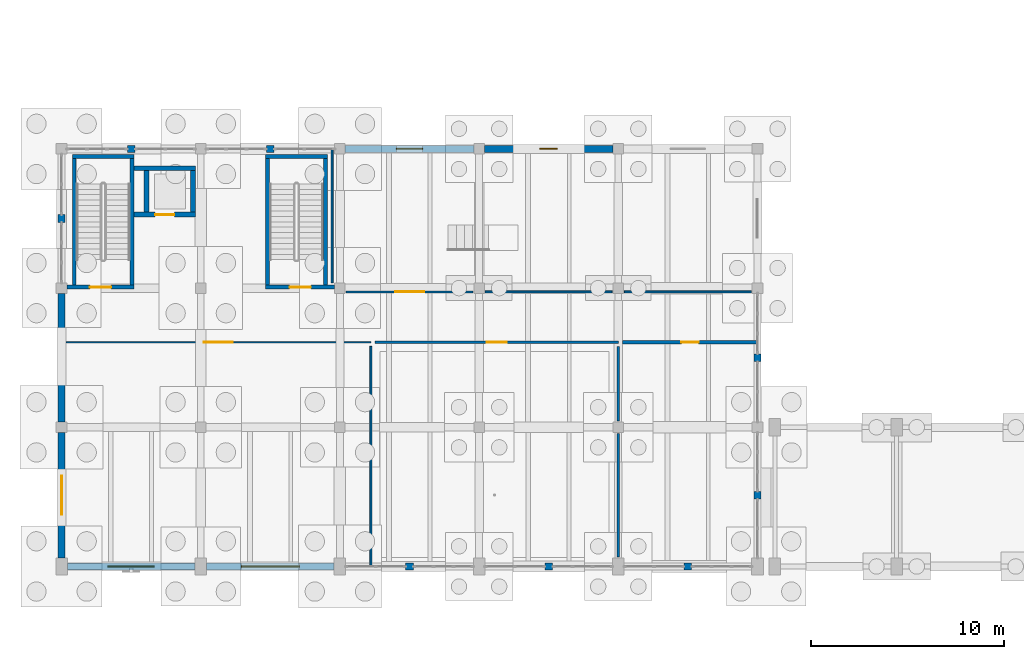
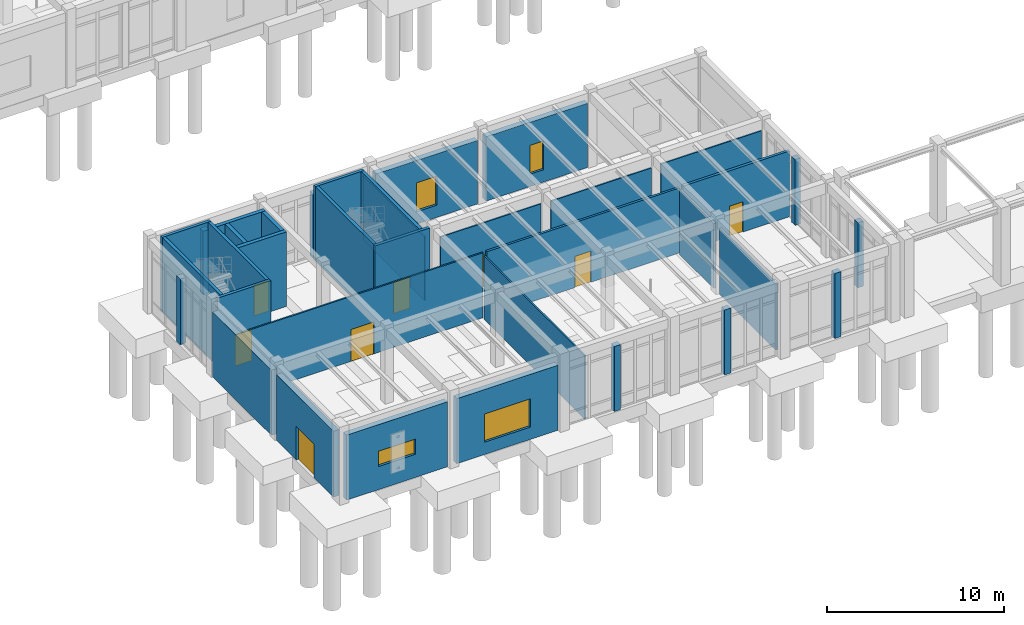
# One storey, part 62 of 93: 36 walls, 8 doors, 4 windows, 12 openings.
"""IFC4 building model written with IfcOpenShell, lengths in metres."""

from ifc_helpers import new_model, si_unit, direction, frame, frame_2d, origin, place, context, subcontext, project, spatial, rectangle, extrude, material, layer, layer_set, type_object, element, fill, save


model = new_model("IFC4")

# Units and contexts
model_context = context("Model", 3, precision=1e-05, world=origin(), true_north=direction((0.0, 1.0)))
body_context = subcontext(model_context, "Body", "Model", "MODEL_VIEW")
ifc_project = project(units=[si_unit("LENGTHUNIT", "METRE"), si_unit("AREAUNIT", "SQUARE_METRE"), si_unit("VOLUMEUNIT", "CUBIC_METRE"), si_unit("PLANEANGLEUNIT", "RADIAN"), si_unit("MASSUNIT", "GRAM", prefix="KILO")], contexts=[model_context])

# Site, building, storey
site_placement = place(None, origin())
site = spatial("IfcSite", under=ifc_project, at=site_placement, CompositionType="ELEMENT")
building_placement = place(site_placement, origin())
building = spatial("IfcBuilding", under=site, at=building_placement, Name="Koriwan Promenade Central Fire Station", CompositionType="ELEMENT")
storey_placement = place(building_placement, origin())
storey = spatial("IfcBuildingStorey", under=building, at=storey_placement, Name="L00", CompositionType="ELEMENT", Elevation=0.0)

# Walls
ifc_material_1 = material(Name="Natural sillar sandstone ashlar", Category="masonry")
ifc_layer_1 = layer(ifc_material_1, 0.360107421875, Name="Natural sillar sandstone ashlar")
ifc_layer_set_1 = layer_set([ifc_layer_1], Name="Natural sillar sandstone ashlar")
wall_type_1 = type_object("IfcWallType", Name="ExtWall_SillarBase_360", PredefinedType="SOLIDWALL", material=ifc_layer_set_1)
wall_1_placement = place(storey_placement, frame((36.0, 3.487548828125, 0.0), z_axis=(0.0, 0.0, 1.0), x_axis=(0.0, 1.0, 0.0)))
element("IfcWall", 1, at=wall_1_placement, inside=storey, type_object=wall_type_1, Name="V3 L00 sillar facade mullion pier 111", PredefinedType="SOLIDWALL", context=body_context, shape_type="SweptSolid", body=[
    extrude(rectangle(XDim=0.39990234375, YDim=0.360107421875, at=frame_2d((0.199951171875, 0.0))), origin(), (0.0, 0.0, 1.0), 4.489990234375),
])
wall_2_placement = place(storey_placement, frame((36.0, 10.60009765625, 0.0), z_axis=(0.0, 0.0, 1.0), x_axis=(0.0, 1.0, 0.0)))
element("IfcWall", 2, at=wall_2_placement, inside=storey, type_object=wall_type_1, Name="V3 L00 sillar facade mullion pier 112", PredefinedType="SOLIDWALL", context=body_context, shape_type="SweptSolid", body=[
    extrude(rectangle(XDim=0.39990234375, YDim=0.360107421875, at=frame_2d((0.199951171875, 0.0))), origin(), (0.0, 0.0, 1.0), 4.5400390625),
])

# Wall, opening, window
wall_3_placement = place(storey_placement, frame((28.52490234375, 21.60009765625, 0.0), z_axis=(0.0, 0.0, 1.0), x_axis=(-1.0, 0.0, 0.0)))
wall_3 = element("IfcWall", 3, at=wall_3_placement, inside=storey, type_object=wall_type_1, Name="V3 L00 exterior wall 115", PredefinedType="SOLIDWALL", context=body_context, shape_type="SweptSolid", body=[
    extrude(rectangle(XDim=6.64990234375, YDim=0.360107421875, at=frame_2d((3.324951171875, 0.0))), origin(), (0.0, 0.0, 1.0), 4.43994140625),
])
opening_1_placement = place(wall_3_placement, frame((2.875, 0.0, 0.85009765625)))
opening_1 = element("IfcOpeningElement", 4, at=opening_1_placement, cuts=wall_3, Name="Opening W-04", PredefinedType="OPENING", context=body_context, shape_type="SweptSolid", body=[
    extrude(rectangle(XDim=0.89990234375, YDim=2.0, at=frame_2d((0.449951171875, 1.0))), frame((0.0, 0.19189453125, 0.0), z_axis=(0.0, -1.0, 0.0), x_axis=(1.0, 0.0, 0.0)), (0.0, 0.0, 1.0), 0.384033203125),
])
ifc_material_2 = material(Name="Solar-control low-E laminated double glazing", Category="glass")
window_type_1 = type_object("IfcWindowType", Name="Win_HQ_900x2000", PartitioningType="SINGLE_PANEL", PredefinedType="WINDOW", material=ifc_material_2)
window_1_placement = place(opening_1_placement, origin())
window_1 = element("IfcWindow", 5, at=window_1_placement, inside=storey, type_object=window_type_1, Name="V3 L00 window 0048", OverallHeight=2.0, OverallWidth=0.89990234375, PartitioningType="SINGLE_PANEL", PredefinedType="WINDOW", context=body_context, shape_type="SweptSolid", body=[
    extrude(rectangle(XDim=0.89990234375, YDim=2.0, at=frame_2d((0.449951171875, 1.0))), frame((0.0, 0.030029296875, 0.0), z_axis=(0.0, -1.0, 0.0), x_axis=(1.0, 0.0, 0.0)), (0.0, 0.0, 1.0), 0.06005859375),
])
fill(opening_1, window_1)

wall_4_placement = place(storey_placement, frame((21.324951171875, 21.60009765625, 0.0), z_axis=(0.0, 0.0, 1.0), x_axis=(-1.0, 0.0, 0.0)))
wall_4 = element("IfcWall", 6, at=wall_4_placement, inside=storey, type_object=wall_type_1, Name="V3 L00 exterior wall 116", PredefinedType="SOLIDWALL", context=body_context, shape_type="SweptSolid", body=[
    extrude(rectangle(XDim=6.64990234375, YDim=0.360107421875, at=frame_2d((3.324951171875, 0.0))), origin(), (0.0, 0.0, 1.0), 4.389892578125),
])
opening_2_placement = place(wall_4_placement, frame((2.64990234375, 0.0, 0.85009765625)))
opening_2 = element("IfcOpeningElement", 7, at=opening_2_placement, cuts=wall_4, Name="Opening W-05", PredefinedType="OPENING", context=body_context, shape_type="SweptSolid", body=[
    extrude(rectangle(XDim=1.35009765625, YDim=2.0, at=frame_2d((0.675048828125, 1.0))), frame((0.0, 0.19189453125, 0.0), z_axis=(0.0, -1.0, 0.0), x_axis=(1.0, 0.0, 0.0)), (0.0, 0.0, 1.0), 0.384033203125),
])
window_type_2 = type_object("IfcWindowType", Name="Win_HQ_1350x2000", PartitioningType="SINGLE_PANEL", PredefinedType="WINDOW", material=ifc_material_2)
window_2_placement = place(opening_2_placement, origin())
window_2 = element("IfcWindow", 8, at=window_2_placement, inside=storey, type_object=window_type_2, Name="V3 L00 window 0049", OverallHeight=2.0, OverallWidth=1.35009765625, PartitioningType="SINGLE_PANEL", PredefinedType="WINDOW", context=body_context, shape_type="SweptSolid", body=[
    extrude(rectangle(XDim=1.35009765625, YDim=2.0, at=frame_2d((0.675048828125, 1.0))), frame((0.0, 0.030029296875, 0.0), z_axis=(0.0, -1.0, 0.0), x_axis=(1.0, 0.0, 0.0)), (0.0, 0.0, 1.0), 0.06005859375),
])
fill(opening_2, window_2)

# Walls
wall_5_placement = place(storey_placement, frame((11.0, 21.60009765625, 0.0), z_axis=(0.0, 0.0, 1.0), x_axis=(-1.0, 0.0, 0.0)))
element("IfcWall", 9, at=wall_5_placement, inside=storey, type_object=wall_type_1, Name="V3 L00 sillar facade mullion pier 117", PredefinedType="SOLIDWALL", context=body_context, shape_type="SweptSolid", body=[
    extrude(rectangle(XDim=0.39990234375, YDim=0.360107421875, at=frame_2d((0.199951171875, 0.0))), origin(), (0.0, 0.0, 1.0), 4.43994140625),
])
wall_6_placement = place(storey_placement, frame((3.800048828125, 21.60009765625, 0.0), z_axis=(0.0, 0.0, 1.0), x_axis=(-1.0, 0.0, 0.0)))
element("IfcWall", 10, at=wall_6_placement, inside=storey, type_object=wall_type_1, Name="V3 L00 sillar facade mullion pier 118", PredefinedType="SOLIDWALL", context=body_context, shape_type="SweptSolid", body=[
    extrude(rectangle(XDim=0.400146484375, YDim=0.360107421875, at=frame_2d((0.2001953125, 0.0))), origin(), (0.0, 0.0, 1.0), 4.389892578125),
])
wall_7_placement = place(storey_placement, frame((0.0, 18.199951171875, 0.0), z_axis=(0.0, 0.0, 1.0), x_axis=(0.0, -1.0, 0.0)))
element("IfcWall", 11, at=wall_7_placement, inside=storey, type_object=wall_type_1, Name="V3 L00 sillar facade mullion pier 119", PredefinedType="SOLIDWALL", context=body_context, shape_type="SweptSolid", body=[
    extrude(rectangle(XDim=0.39990234375, YDim=0.360107421875, at=frame_2d((0.199951171875, 0.0))), origin(), (0.0, 0.0, 1.0), 4.5400390625),
])
wall_8_placement = place(storey_placement, frame((0.0, 14.125, 0.0), z_axis=(0.0, 0.0, 1.0), x_axis=(0.0, -1.0, 0.0)))
element("IfcWall", 12, at=wall_8_placement, inside=storey, type_object=wall_type_1, Name="V3 L00 exterior wall 120", PredefinedType="SOLIDWALL", context=body_context, shape_type="SweptSolid", body=[
    extrude(rectangle(XDim=6.64990234375, YDim=0.360107421875, at=frame_2d((3.324951171875, 0.0))), origin(), (0.0, 0.0, 1.0), 4.489990234375),
])

# Wall, opening, door
wall_9_placement = place(storey_placement, frame((0.0, 6.925048828125, 0.0), z_axis=(0.0, 0.0, 1.0), x_axis=(0.0, -1.0, 0.0)))
wall_9 = element("IfcWall", 13, at=wall_9_placement, inside=storey, type_object=wall_type_1, Name="V3 L00 exterior wall 121", PredefinedType="SOLIDWALL", context=body_context, shape_type="SweptSolid", body=[
    extrude(rectangle(XDim=6.47509765625, YDim=0.360107421875, at=frame_2d((3.237548828125, 0.0))), origin(), (0.0, 0.0, 1.0), 4.5400390625),
])
opening_3_placement = place(wall_9_placement, frame((2.237548828125, 0.0, 0.0)))
opening_3 = element("IfcOpeningElement", 14, at=opening_3_placement, cuts=wall_9, Name="Opening ED-019", PredefinedType="OPENING", context=body_context, shape_type="SweptSolid", body=[
    extrude(rectangle(XDim=2.0, YDim=2.300048828125, at=frame_2d((1.0, 1.14990234375))), frame((0.0, 0.19189453125, 0.0), z_axis=(0.0, -1.0, 0.0), x_axis=(1.0, 0.0, 0.0)), (0.0, 0.0, 1.0), 0.384033203125),
])
ifc_material_3 = material(Name="Aluminium EN AW-6063-T6 and laminated safety glass", Category="aluminium")
door_type_1 = type_object("IfcDoorType", Name="ExitDoorDouble_2000x2300", OperationType="DOUBLE_SWING_LEFT", PredefinedType="DOOR", material=ifc_material_3)
door_1_placement = place(opening_3_placement, frame((2.0, 0.0, 0.0), z_axis=(0.0, 0.0, 1.0), x_axis=(-1.0, 0.0, 0.0)))
door_1 = element("IfcDoor", 15, at=door_1_placement, inside=storey, type_object=door_type_1, Name="V3 Final Pedestrian Exit Door ED-019", OperationType="DOUBLE_SWING_LEFT", OverallHeight=2.300048828125, OverallWidth=2.0, PredefinedType="DOOR", context=body_context, shape_type="SweptSolid", body=[
    extrude(rectangle(XDim=2.0, YDim=2.300048828125, at=frame_2d((1.0, 1.14990234375))), frame((0.0, 0.02490234375, 0.0), z_axis=(0.0, -1.0, 0.0), x_axis=(1.0, 0.0, 0.0)), (0.0, 0.0, 1.0), 0.050048828125),
])
fill(opening_3, door_1)

# Wall, opening, window
wall_10_placement = place(storey_placement, frame((0.300048828125, 0.0, 0.0), z_axis=(0.0, 0.0, 1.0), x_axis=(1.0, 0.0, 0.0)))
wall_10 = element("IfcWall", 16, at=wall_10_placement, inside=storey, type_object=wall_type_1, Name="V3 L00 exterior wall 122", PredefinedType="SOLIDWALL", context=body_context, shape_type="SweptSolid", body=[
    extrude(rectangle(XDim=6.599853515625, YDim=0.360107421875, at=frame_2d((3.2998046875, 0.0))), origin(), (0.0, 0.0, 1.0), 4.489990234375),
])
opening_4_placement = place(wall_10_placement, frame((2.10009765625, 0.0, 1.60009765625)))
opening_4 = element("IfcOpeningElement", 17, at=opening_4_placement, cuts=wall_10, Name="Opening W-13", PredefinedType="OPENING", context=body_context, shape_type="SweptSolid", body=[
    extrude(rectangle(XDim=2.39990234375, YDim=1.050048828125, at=frame_2d((1.199951171875, 0.52490234375))), frame((0.0, 0.19189453125, 0.0), z_axis=(0.0, -1.0, 0.0), x_axis=(1.0, 0.0, 0.0)), (0.0, 0.0, 1.0), 0.384033203125),
])
window_type_3 = type_object("IfcWindowType", Name="Win_HighRibbon_2400x1050", PartitioningType="SINGLE_PANEL", PredefinedType="WINDOW", material=ifc_material_2)
window_3_placement = place(opening_4_placement, origin())
window_3 = element("IfcWindow", 18, at=window_3_placement, inside=storey, type_object=window_type_3, Name="V3 L00 window 0050", OverallHeight=1.050048828125, OverallWidth=2.39990234375, PartitioningType="SINGLE_PANEL", PredefinedType="WINDOW", context=body_context, shape_type="SweptSolid", body=[
    extrude(rectangle(XDim=2.39990234375, YDim=1.050048828125, at=frame_2d((1.199951171875, 0.52490234375))), frame((0.0, 0.030029296875, 0.0), z_axis=(0.0, -1.0, 0.0), x_axis=(1.0, 0.0, 0.0)), (0.0, 0.0, 1.0), 0.06005859375),
])
fill(opening_4, window_3)

wall_11_placement = place(storey_placement, frame((7.5, 0.0, 0.0), z_axis=(0.0, 0.0, 1.0), x_axis=(1.0, 0.0, 0.0)))
wall_11 = element("IfcWall", 19, at=wall_11_placement, inside=storey, type_object=wall_type_1, Name="V3 L00 exterior wall 123", PredefinedType="SOLIDWALL", context=body_context, shape_type="SweptSolid", body=[
    extrude(rectangle(XDim=6.60009765625, YDim=0.360107421875, at=frame_2d((3.300048828125, 0.0))), origin(), (0.0, 0.0, 1.0), 4.489990234375),
])
opening_5_placement = place(wall_11_placement, frame((1.800048828125, 0.0, 0.85009765625)))
opening_5 = element("IfcOpeningElement", 20, at=opening_5_placement, cuts=wall_11, Name="Opening W-14", PredefinedType="OPENING", context=body_context, shape_type="SweptSolid", body=[
    extrude(rectangle(XDim=3.0, YDim=1.949951171875, at=frame_2d((1.5, 0.97509765625))), frame((0.0, 0.19189453125, 0.0), z_axis=(0.0, -1.0, 0.0), x_axis=(1.0, 0.0, 0.0)), (0.0, 0.0, 1.0), 0.384033203125),
])
window_type_4 = type_object("IfcWindowType", Name="Win_Watch_3000x1950", PartitioningType="SINGLE_PANEL", PredefinedType="WINDOW", material=ifc_material_2)
window_4_placement = place(opening_5_placement, origin())
window_4 = element("IfcWindow", 21, at=window_4_placement, inside=storey, type_object=window_type_4, Name="V3 L00 window 0051", OverallHeight=1.949951171875, OverallWidth=3.0, PartitioningType="SINGLE_PANEL", PredefinedType="WINDOW", context=body_context, shape_type="SweptSolid", body=[
    extrude(rectangle(XDim=3.0, YDim=1.949951171875, at=frame_2d((1.5, 0.97509765625))), frame((0.0, 0.030029296875, 0.0), z_axis=(0.0, -1.0, 0.0), x_axis=(1.0, 0.0, 0.0)), (0.0, 0.0, 1.0), 0.06005859375),
])
fill(opening_5, window_4)

# Walls
for number, where, z_axis, x_axis, name in (
    (22, (17.800048828125, 0.0, 0.0), (0.0, 0.0, 1.0), (1.0, 0.0, 0.0), "V3 L00 sillar facade mullion pier 124"),
    (23, (25.0, 0.0, 0.0), (0.0, 0.0, 1.0), (1.0, 0.0, 0.0), "V3 L00 sillar facade mullion pier 125"),
):
    element("IfcWall", number, at=place(storey_placement, frame(where, z_axis=z_axis, x_axis=x_axis)), inside=storey, type_object=wall_type_1, Name=name, PredefinedType="SOLIDWALL", context=body_context, shape_type="SweptSolid", body=[
        extrude(rectangle(XDim=0.39990234375, YDim=0.360107421875, at=frame_2d((0.199951171875, 0.0))), origin(), (0.0, 0.0, 1.0), 4.489990234375),
    ])
wall_12_placement = place(storey_placement, frame((32.199951171875, 0.0, 0.0), z_axis=(0.0, 0.0, 1.0), x_axis=(1.0, 0.0, 0.0)))
element("IfcWall", 24, at=wall_12_placement, inside=storey, type_object=wall_type_1, Name="V3 L00 sillar facade mullion pier 126", PredefinedType="SOLIDWALL", context=body_context, shape_type="SweptSolid", body=[
    extrude(rectangle(XDim=0.400146484375, YDim=0.360107421875, at=frame_2d((0.2001953125, 0.0))), origin(), (0.0, 0.0, 1.0), 4.489990234375),
])

# Wall, opening, door
ifc_material_4 = material(Name="Gypsum board acoustic stud partition", Category="gypsum")
ifc_layer_2 = layer(ifc_material_4, 0.10009765625, Name="Gypsum board acoustic stud partition")
ifc_layer_set_2 = layer_set([ifc_layer_2], Name="Gypsum board acoustic stud partition")
wall_type_2 = type_object("IfcWallType", Name="IntWall_Drywall_100", PredefinedType="PARTITIONING", material=ifc_layer_set_2)
wall_13_placement = place(storey_placement, frame((14.715087890625, 14.199951171875, 0.0), z_axis=(0.0, 0.0, 1.0), x_axis=(1.0, 0.0, 0.0)))
wall_13 = element("IfcWall", 25, at=wall_13_placement, inside=storey, type_object=wall_type_2, Name="Community Fire Safety Exhibition Room partition S", PredefinedType="PARTITIONING", context=body_context, shape_type="SweptSolid", body=[
    extrude(rectangle(XDim=6.56982421875, YDim=0.10009765625, at=frame_2d((3.284912109375, 0.0))), origin(), (0.0, 0.0, 1.0), 4.43798828125),
])
opening_6_placement = place(wall_13_placement, frame((2.534912109375, 0.0, 0.0)))
opening_6 = element("IfcOpeningElement", 26, at=opening_6_placement, cuts=wall_13, Name="Opening D-112", PredefinedType="OPENING", context=body_context, shape_type="SweptSolid", body=[
    extrude(rectangle(XDim=1.5, YDim=2.199951171875, at=frame_2d((0.75, 1.10009765625))), frame((0.0, 0.06201171875, 0.0), z_axis=(0.0, -1.0, 0.0), x_axis=(1.0, 0.0, 0.0)), (0.0, 0.0, 1.0), 0.1240234375),
])
ifc_material_5 = material(Name="Hardwood veneer solid-core timber", Category="wood")
door_type_2 = type_object("IfcDoorType", Name="RoomDoor_Hall_1500x2200", OperationType="DOUBLE_SWING_LEFT", PredefinedType="DOOR", material=ifc_material_5)
door_2_placement = place(opening_6_placement, origin())
door_2 = element("IfcDoor", 27, at=door_2_placement, inside=storey, type_object=door_type_2, Name="Community Fire Safety Exhibition Room Door D-112", OperationType="DOUBLE_SWING_LEFT", OverallHeight=2.199951171875, OverallWidth=1.5, PredefinedType="DOOR", context=body_context, shape_type="SweptSolid", body=[
    extrude(rectangle(XDim=1.5, YDim=2.199951171875, at=frame_2d((0.75, 1.10009765625))), frame((0.0, 0.02490234375, 0.0), z_axis=(0.0, -1.0, 0.0), x_axis=(1.0, 0.0, 0.0)), (0.0, 0.0, 1.0), 0.050048828125),
])
fill(opening_6, door_2)

# Walls
wall_14_placement = place(storey_placement, frame((21.9150390625, 14.199951171875, 0.0), z_axis=(0.0, 0.0, 1.0), x_axis=(1.0, 0.0, 0.0)))
element("IfcWall", 28, at=wall_14_placement, inside=storey, type_object=wall_type_2, Name="Community Fire Safety Exhibition Room partition S", PredefinedType="PARTITIONING", context=body_context, shape_type="SweptSolid", body=[
    extrude(rectangle(XDim=6.570068359375, YDim=0.10009765625, at=frame_2d((3.28515625, 0.0))), origin(), (0.0, 0.0, 1.0), 4.387939453125),
])
wall_15_placement = place(storey_placement, frame((29.114990234375, 14.199951171875, 0.0), z_axis=(0.0, 0.0, 1.0), x_axis=(1.0, 0.0, 0.0)))
element("IfcWall", 29, at=wall_15_placement, inside=storey, type_object=wall_type_2, Name="Community Fire Safety Exhibition Room partition S", PredefinedType="PARTITIONING", context=body_context, shape_type="SweptSolid", body=[
    extrude(rectangle(XDim=6.570068359375, YDim=0.10009765625, at=frame_2d((3.28515625, 0.0))), origin(), (0.0, 0.0, 1.0), 4.43798828125),
])
wall_16_placement = place(storey_placement, frame((14.0, 14.669921875, 0.0), z_axis=(0.0, 0.0, 1.0), x_axis=(0.0, 1.0, 0.0)))
element("IfcWall", 30, at=wall_16_placement, inside=storey, type_object=wall_type_2, Name="Community Fire Safety Exhibition Room partition W", PredefinedType="PARTITIONING", context=body_context, shape_type="SweptSolid", body=[
    extrude(rectangle(XDim=6.93017578125, YDim=0.10009765625, at=frame_2d((3.465087890625, 0.0))), origin(), (0.0, 0.0, 1.0), 4.43798828125),
])

# Wall, opening, door
wall_17_placement = place(storey_placement, frame((0.219970703125, 11.60009765625, 0.0), z_axis=(0.0, 0.0, 1.0), x_axis=(1.0, 0.0, 0.0)))
wall_17 = element("IfcWall", 31, at=wall_17_placement, inside=storey, type_object=wall_type_2, Name="Riverside Promenade Cafe partition N", PredefinedType="PARTITIONING", context=body_context, shape_type="SweptSolid", body=[
    extrude(rectangle(XDim=15.780029296875, YDim=0.10009765625, at=frame_2d((7.89013671875, 0.0))), origin(), (0.0, 0.0, 1.0), 4.488037109375),
])
opening_7_placement = place(wall_17_placement, frame((7.139892578125, 0.0, 0.0)))
opening_7 = element("IfcOpeningElement", 32, at=opening_7_placement, cuts=wall_17, Name="Opening D-113", PredefinedType="OPENING", context=body_context, shape_type="SweptSolid", body=[
    extrude(rectangle(XDim=1.5, YDim=2.199951171875, at=frame_2d((0.75, 1.10009765625))), frame((0.0, 0.06201171875, 0.0), z_axis=(0.0, -1.0, 0.0), x_axis=(1.0, 0.0, 0.0)), (0.0, 0.0, 1.0), 0.1240234375),
])
door_3_placement = place(opening_7_placement, origin())
door_3 = element("IfcDoor", 33, at=door_3_placement, inside=storey, type_object=door_type_2, Name="Riverside Promenade Cafe Door D-113", OperationType="DOUBLE_SWING_LEFT", OverallHeight=2.199951171875, OverallWidth=1.5, PredefinedType="DOOR", context=body_context, shape_type="SweptSolid", body=[
    extrude(rectangle(XDim=1.5, YDim=2.199951171875, at=frame_2d((0.75, 1.10009765625))), frame((0.0, 0.02490234375, 0.0), z_axis=(0.0, -1.0, 0.0), x_axis=(1.0, 0.0, 0.0)), (0.0, 0.0, 1.0), 0.050048828125),
])
fill(opening_7, door_3)

# Wall
wall_18_placement = place(storey_placement, frame((16.0, 0.0, 0.0), z_axis=(0.0, 0.0, 1.0), x_axis=(0.0, 1.0, 0.0)))
element("IfcWall", 34, at=wall_18_placement, inside=storey, type_object=wall_type_2, Name="Riverside Promenade Cafe partition E", PredefinedType="PARTITIONING", context=body_context, shape_type="SweptSolid", body=[
    extrude(rectangle(XDim=11.3798828125, YDim=0.10009765625, at=frame_2d((5.68994140625, 0.0))), origin(), (0.0, 0.0, 1.0), 4.387939453125),
])

# Wall, opening, door
ifc_material_6 = material(Name="Clay brick plastered masonry wall", Category="masonry")
ifc_layer_3 = layer(ifc_material_6, 0.14990234375, Name="Clay brick plastered masonry wall")
ifc_layer_set_3 = layer_set([ifc_layer_3], Name="Clay brick plastered masonry wall")
wall_type_3 = type_object("IfcWallType", Name="IntWall_Masonry_150", PredefinedType="STANDARD", material=ifc_layer_set_3)
wall_19_placement = place(storey_placement, frame((16.219970703125, 11.60009765625, 0.0), z_axis=(0.0, 0.0, 1.0), x_axis=(1.0, 0.0, 0.0)))
wall_19 = element("IfcWall", 35, at=wall_19_placement, inside=storey, type_object=wall_type_3, Name="Youth Fire Preparedness Classroom partition N", PredefinedType="STANDARD", context=body_context, shape_type="SweptSolid", body=[
    extrude(rectangle(XDim=12.580078125, YDim=0.14990234375, at=frame_2d((6.2900390625, 0.0))), origin(), (0.0, 0.0, 1.0), 4.488037109375),
])
opening_8_placement = place(wall_19_placement, frame((5.764892578125, 0.0, 0.0)))
opening_8 = element("IfcOpeningElement", 36, at=opening_8_placement, cuts=wall_19, Name="Opening D-114", PredefinedType="OPENING", context=body_context, shape_type="SweptSolid", body=[
    extrude(rectangle(XDim=1.050048828125, YDim=2.14990234375, at=frame_2d((0.52490234375, 1.074951171875))), frame((0.0, 0.0869140625, 0.0), z_axis=(0.0, -1.0, 0.0), x_axis=(1.0, 0.0, 0.0)), (0.0, 0.0, 1.0), 0.173828125),
])
door_type_3 = type_object("IfcDoorType", Name="RoomDoor_Class_1050x2150", OperationType="NOTDEFINED", PredefinedType="DOOR", material=ifc_material_5)
door_4_placement = place(opening_8_placement, origin())
door_4 = element("IfcDoor", 37, at=door_4_placement, inside=storey, type_object=door_type_3, Name="Youth Fire Preparedness Classroom Door D-114", OperationType="SINGLE_SWING_LEFT", OverallHeight=2.14990234375, OverallWidth=1.050048828125, PredefinedType="DOOR", context=body_context, shape_type="SweptSolid", body=[
    extrude(rectangle(XDim=1.050048828125, YDim=2.14990234375, at=frame_2d((0.52490234375, 1.074951171875))), frame((0.0, 0.02490234375, 0.0), z_axis=(0.0, -1.0, 0.0), x_axis=(1.0, 0.0, 0.0)), (0.0, 0.0, 1.0), 0.050048828125),
])
fill(opening_8, door_4)

# Walls
wall_20_placement = place(storey_placement, frame((28.800048828125, 0.489990234375, 0.0), z_axis=(0.0, 0.0, 1.0), x_axis=(0.0, 1.0, 0.0)))
element("IfcWall", 38, at=wall_20_placement, inside=storey, type_object=wall_type_3, Name="Youth Fire Preparedness Classroom partition E", PredefinedType="STANDARD", context=body_context, shape_type="SweptSolid", body=[
    extrude(rectangle(XDim=6.39501953125, YDim=0.14990234375, at=frame_2d((3.197509765625, 0.0))), origin(), (0.0, 0.0, 1.0), 4.5380859375),
])
wall_21_placement = place(storey_placement, frame((28.800048828125, 7.514892578125, 0.0), z_axis=(0.0, 0.0, 1.0), x_axis=(0.0, 1.0, 0.0)))
element("IfcWall", 39, at=wall_21_placement, inside=storey, type_object=wall_type_3, Name="Youth Fire Preparedness Classroom partition E", PredefinedType="STANDARD", context=body_context, shape_type="SweptSolid", body=[
    extrude(rectangle(XDim=3.864990234375, YDim=0.14990234375, at=frame_2d((1.9326171875, 0.0))), origin(), (0.0, 0.0, 1.0), 4.488037109375),
])

# Wall, opening, door
ifc_material_7 = material(Name="Moisture-resistant sanitary chase wall", Category="gypsum")
ifc_layer_4 = layer(ifc_material_7, 0.179931640625, Name="Moisture-resistant sanitary chase wall")
ifc_layer_set_4 = layer_set([ifc_layer_4], Name="Moisture-resistant sanitary chase wall")
wall_type_4 = type_object("IfcWallType", Name="IntWall_Plumbing_180", PredefinedType="PLUMBINGWALL", material=ifc_layer_set_4)
wall_22_placement = place(storey_placement, frame((29.02001953125, 11.60009765625, 0.0), z_axis=(0.0, 0.0, 1.0), x_axis=(1.0, 0.0, 0.0)))
wall_22 = element("IfcWall", 40, at=wall_22_placement, inside=storey, type_object=wall_type_4, Name="Public Pavilion Male Female and Accessible WCs partition N", PredefinedType="PLUMBINGWALL", context=body_context, shape_type="SweptSolid", body=[
    extrude(rectangle(XDim=6.97998046875, YDim=0.179931640625, at=frame_2d((3.489990234375, 0.0))), origin(), (0.0, 0.0, 1.0), 4.5380859375),
])
opening_9_placement = place(wall_22_placement, frame((3.0400390625, 0.0, 0.0)))
opening_9 = element("IfcOpeningElement", 41, at=opening_9_placement, cuts=wall_22, Name="Opening D-115", PredefinedType="OPENING", context=body_context, shape_type="SweptSolid", body=[
    extrude(rectangle(XDim=0.89990234375, YDim=2.10009765625, at=frame_2d((0.449951171875, 1.050048828125))), frame((0.0, 0.10205078125, 0.0), z_axis=(0.0, -1.0, 0.0), x_axis=(1.0, 0.0, 0.0)), (0.0, 0.0, 1.0), 0.203857421875),
])
ifc_material_8 = material(Name="High-pressure laminate moisture-resistant core", Category="wood")
door_type_4 = type_object("IfcDoorType", Name="RoomDoor_WC_900x2100", OperationType="NOTDEFINED", PredefinedType="DOOR", material=ifc_material_8)
door_5_placement = place(opening_9_placement, origin())
door_5 = element("IfcDoor", 42, at=door_5_placement, inside=storey, type_object=door_type_4, Name="Public Pavilion Male Female and Accessible WCs Door D-115", OperationType="SINGLE_SWING_RIGHT", OverallHeight=2.10009765625, OverallWidth=0.89990234375, PredefinedType="DOOR", context=body_context, shape_type="SweptSolid", body=[
    extrude(rectangle(XDim=0.89990234375, YDim=2.10009765625, at=frame_2d((0.449951171875, 1.050048828125))), frame((0.0, 0.02490234375, 0.0), z_axis=(0.0, -1.0, 0.0), x_axis=(1.0, 0.0, 0.0)), (0.0, 0.0, 1.0), 0.050048828125),
])
fill(opening_9, door_5)

ifc_material_9 = material(Name="Concrete C40/50", Category="concrete")
ifc_layer_5 = layer(ifc_material_9, 0.199951171875, Name="Concrete C40/50")
ifc_layer_set_5 = layer_set([ifc_layer_5], Name="Concrete C40/50")
wall_type_5 = type_object("IfcWallType", Name="ShearWall_200", PredefinedType="SHEAR", material=ifc_layer_set_5)
wall_23_placement = place(storey_placement, frame((0.27490234375, 14.449951171875, 0.0), z_axis=(0.0, 0.0, 1.0), x_axis=(1.0, 0.0, 0.0)))
wall_23 = element("IfcWall", 43, at=wall_23_placement, inside=storey, type_object=wall_type_5, Name="ST14 L00 structural stair wall S", PredefinedType="SHEAR", context=body_context, shape_type="SweptSolid", body=[
    extrude(rectangle(XDim=3.47509765625, YDim=0.199951171875, at=frame_2d((1.737548828125, 0.0))), origin(), (0.0, 0.0, 1.0), 5.14990234375),
])
opening_10_placement = place(wall_23_placement, frame((1.1875, 0.0, 0.0)))
opening_10 = element("IfcOpeningElement", 44, at=opening_10_placement, cuts=wall_23, Name="Opening SD-020", PredefinedType="OPENING", context=body_context, shape_type="SweptSolid", body=[
    extrude(rectangle(XDim=1.10009765625, YDim=2.14990234375, at=frame_2d((0.550048828125, 1.074951171875))), frame((0.0, 0.11181640625, 0.0), z_axis=(0.0, -1.0, 0.0), x_axis=(1.0, 0.0, 0.0)), (0.0, 0.0, 1.0), 0.223876953125),
])
ifc_material_10 = material(Name="Painted galvanized fire-door steel", Category="steel")
door_type_5 = type_object("IfcDoorType", Name="FireDoor_Stair_1100x2150", OperationType="NOTDEFINED", PredefinedType="DOOR", material=ifc_material_10)
door_6_placement = place(opening_10_placement, frame((1.10009765625, 0.0, 0.0), z_axis=(0.0, 0.0, 1.0), x_axis=(-1.0, 0.0, 0.0)))
door_6 = element("IfcDoor", 45, at=door_6_placement, inside=storey, type_object=door_type_5, Name="Protected Stair ST14 Fire Door SD-020", OperationType="SINGLE_SWING_LEFT", OverallHeight=2.14990234375, OverallWidth=1.10009765625, PredefinedType="DOOR", context=body_context, shape_type="SweptSolid", body=[
    extrude(rectangle(XDim=1.10009765625, YDim=2.14990234375, at=frame_2d((0.550048828125, 1.074951171875))), frame((0.0, 0.02490234375, 0.0), z_axis=(0.0, -1.0, 0.0), x_axis=(1.0, 0.0, 0.0)), (0.0, 0.0, 1.0), 0.050048828125),
])
fill(opening_10, door_6)

# Walls
wall_24_placement = place(storey_placement, frame((0.56005859375, 21.2099609375, 0.0), z_axis=(0.0, 0.0, 1.0), x_axis=(1.0, 0.0, 0.0)))
element("IfcWall", 46, at=wall_24_placement, inside=storey, type_object=wall_type_5, Name="ST14 L00 structural stair wall N", PredefinedType="SHEAR", context=body_context, shape_type="SweptSolid", body=[
    extrude(rectangle(XDim=3.18994140625, YDim=0.199951171875, at=frame_2d((1.594970703125, 0.0))), origin(), (0.0, 0.0, 1.0), 5.14990234375),
])
for number, where, z_axis, x_axis, name in (
    (47, (0.659912109375, 14.550048828125, 0.0), (0.0, 0.0, 1.0), (0.0, 1.0, 0.0), "ST14 L00 structural stair wall W"),
    (48, (3.64990234375, 14.550048828125, 0.0), (0.0, 0.0, 1.0), (0.0, 1.0, 0.0), "ST14 L00 structural stair wall E"),
):
    element("IfcWall", number, at=place(storey_placement, frame(where, z_axis=z_axis, x_axis=x_axis)), inside=storey, type_object=wall_type_5, Name=name, PredefinedType="SHEAR", context=body_context, shape_type="SweptSolid", body=[
        extrude(rectangle(XDim=6.56005859375, YDim=0.199951171875, at=frame_2d((3.280029296875, 0.0))), origin(), (0.0, 0.0, 1.0), 5.14990234375),
    ])

# Wall, opening, door
wall_25_placement = place(storey_placement, frame((10.56005859375, 14.449951171875, 0.0), z_axis=(0.0, 0.0, 1.0), x_axis=(1.0, 0.0, 0.0)))
wall_25 = element("IfcWall", 49, at=wall_25_placement, inside=storey, type_object=wall_type_5, Name="ST16 L00 structural stair wall S", PredefinedType="SHEAR", context=body_context, shape_type="SweptSolid", body=[
    extrude(rectangle(XDim=3.56494140625, YDim=0.199951171875, at=frame_2d((1.782470703125, 0.0))), origin(), (0.0, 0.0, 1.0), 5.14990234375),
])
opening_11_placement = place(wall_25_placement, frame((1.232421875, 0.0, 0.0)))
opening_11 = element("IfcOpeningElement", 50, at=opening_11_placement, cuts=wall_25, Name="Opening SD-023", PredefinedType="OPENING", context=body_context, shape_type="SweptSolid", body=[
    extrude(rectangle(XDim=1.10009765625, YDim=2.14990234375, at=frame_2d((0.550048828125, 1.074951171875))), frame((0.0, 0.11181640625, 0.0), z_axis=(0.0, -1.0, 0.0), x_axis=(1.0, 0.0, 0.0)), (0.0, 0.0, 1.0), 0.223876953125),
])
door_7_placement = place(opening_11_placement, frame((1.10009765625, 0.0, 0.0), z_axis=(0.0, 0.0, 1.0), x_axis=(-1.0, 0.0, 0.0)))
door_7 = element("IfcDoor", 51, at=door_7_placement, inside=storey, type_object=door_type_5, Name="Protected Stair ST16 Fire Door SD-023", OperationType="SINGLE_SWING_RIGHT", OverallHeight=2.14990234375, OverallWidth=1.10009765625, PredefinedType="DOOR", context=body_context, shape_type="SweptSolid", body=[
    extrude(rectangle(XDim=1.10009765625, YDim=2.14990234375, at=frame_2d((0.550048828125, 1.074951171875))), frame((0.0, 0.02490234375, 0.0), z_axis=(0.0, -1.0, 0.0), x_axis=(1.0, 0.0, 0.0)), (0.0, 0.0, 1.0), 0.050048828125),
])
fill(opening_11, door_7)

# Walls
wall_26_placement = place(storey_placement, frame((10.56005859375, 21.2099609375, 0.0), z_axis=(0.0, 0.0, 1.0), x_axis=(1.0, 0.0, 0.0)))
element("IfcWall", 52, at=wall_26_placement, inside=storey, type_object=wall_type_5, Name="ST16 L00 structural stair wall N", PredefinedType="SHEAR", context=body_context, shape_type="SweptSolid", body=[
    extrude(rectangle(XDim=3.18994140625, YDim=0.199951171875, at=frame_2d((1.594970703125, 0.0))), origin(), (0.0, 0.0, 1.0), 5.14990234375),
])
for number, where, z_axis, x_axis, name in (
    (53, (10.659912109375, 14.550048828125, 0.0), (0.0, 0.0, 1.0), (0.0, 1.0, 0.0), "ST16 L00 structural stair wall W"),
    (54, (13.64990234375, 14.550048828125, 0.0), (0.0, 0.0, 1.0), (0.0, 1.0, 0.0), "ST16 L00 structural stair wall E"),
):
    element("IfcWall", number, at=place(storey_placement, frame(where, z_axis=z_axis, x_axis=x_axis)), inside=storey, type_object=wall_type_5, Name=name, PredefinedType="SHEAR", context=body_context, shape_type="SweptSolid", body=[
        extrude(rectangle(XDim=6.56005859375, YDim=0.199951171875, at=frame_2d((3.280029296875, 0.0))), origin(), (0.0, 0.0, 1.0), 5.14990234375),
    ])

# Wall, opening, door
ifc_layer_6 = layer(ifc_material_9, 0.25, Name="Concrete C40/50")
ifc_layer_set_6 = layer_set([ifc_layer_6], Name="Concrete C40/50")
wall_type_6 = type_object("IfcWallType", Name="ShearWall_250", PredefinedType="SHEAR", material=ifc_layer_set_6)
wall_27_placement = place(storey_placement, frame((3.75, 18.199951171875, 0.0), z_axis=(0.0, 0.0, 1.0), x_axis=(1.0, 0.0, 0.0)))
wall_27 = element("IfcWall", 55, at=wall_27_placement, inside=storey, type_object=wall_type_6, Name="LP03 shaft wall S (L00)", PredefinedType="SHEAR", context=body_context, shape_type="SweptSolid", body=[
    extrude(rectangle(XDim=3.175048828125, YDim=0.25, at=frame_2d((1.58740234375, 0.0))), origin(), (0.0, 0.0, 1.0), 5.14990234375),
])
opening_12_placement = place(wall_27_placement, frame((1.08740234375, 0.0, 0.0)))
opening_12 = element("IfcOpeningElement", 56, at=opening_12_placement, cuts=wall_27, Name="Opening LD-LP03-L00", PredefinedType="OPENING", context=body_context, shape_type="SweptSolid", body=[
    extrude(rectangle(XDim=1.0, YDim=2.10009765625, at=frame_2d((0.5, 1.050048828125))), frame((0.0, 0.136962890625, 0.0), z_axis=(0.0, -1.0, 0.0), x_axis=(1.0, 0.0, 0.0)), (0.0, 0.0, 1.0), 0.27392578125),
])
ifc_material_11 = material(Name="Stainless steel 316", Category="steel")
door_type_6 = type_object("IfcDoorType", Name="LiftDoor_Pass_1000x2100", OperationType="SLIDING_TO_RIGHT", PredefinedType="DOOR", material=ifc_material_11)
door_8_placement = place(opening_12_placement, origin())
door_8 = element("IfcDoor", 57, at=door_8_placement, inside=storey, type_object=door_type_6, Name="Lift LP03 Sliding Landing Door LD-LP03-L00", OperationType="SLIDING_TO_RIGHT", OverallHeight=2.10009765625, OverallWidth=1.0, PredefinedType="DOOR", context=body_context, shape_type="SweptSolid", body=[
    extrude(rectangle(XDim=1.0, YDim=2.10009765625, at=frame_2d((0.5, 1.050048828125))), frame((0.0, 0.02490234375, 0.0), z_axis=(0.0, -1.0, 0.0), x_axis=(1.0, 0.0, 0.0)), (0.0, 0.0, 1.0), 0.050048828125),
])
fill(opening_12, door_8)

# Walls
wall_28_placement = place(storey_placement, frame((3.75, 20.60009765625, 0.0), z_axis=(0.0, 0.0, 1.0), x_axis=(1.0, 0.0, 0.0)))
element("IfcWall", 58, at=wall_28_placement, inside=storey, type_object=wall_type_6, Name="LP03 shaft wall N (L00)", PredefinedType="SHEAR", context=body_context, shape_type="SweptSolid", body=[
    extrude(rectangle(XDim=3.175048828125, YDim=0.25, at=frame_2d((1.58740234375, 0.0))), origin(), (0.0, 0.0, 1.0), 5.14990234375),
])
for number, where, z_axis, x_axis, name in (
    (59, (4.39990234375, 18.324951171875, 0.0), (0.0, 0.0, 1.0), (0.0, 1.0, 0.0), "LP03 shaft wall W (L00)"),
    (60, (6.800048828125, 18.324951171875, 0.0), (0.0, 0.0, 1.0), (0.0, 1.0, 0.0), "LP03 shaft wall E (L00)"),
):
    element("IfcWall", number, at=place(storey_placement, frame(where, z_axis=z_axis, x_axis=x_axis)), inside=storey, type_object=wall_type_6, Name=name, PredefinedType="SHEAR", context=body_context, shape_type="SweptSolid", body=[
        extrude(rectangle(XDim=2.150146484375, YDim=0.25, at=frame_2d((1.0751953125, 0.0))), origin(), (0.0, 0.0, 1.0), 5.14990234375),
    ])

save(model, "model.ifc")
